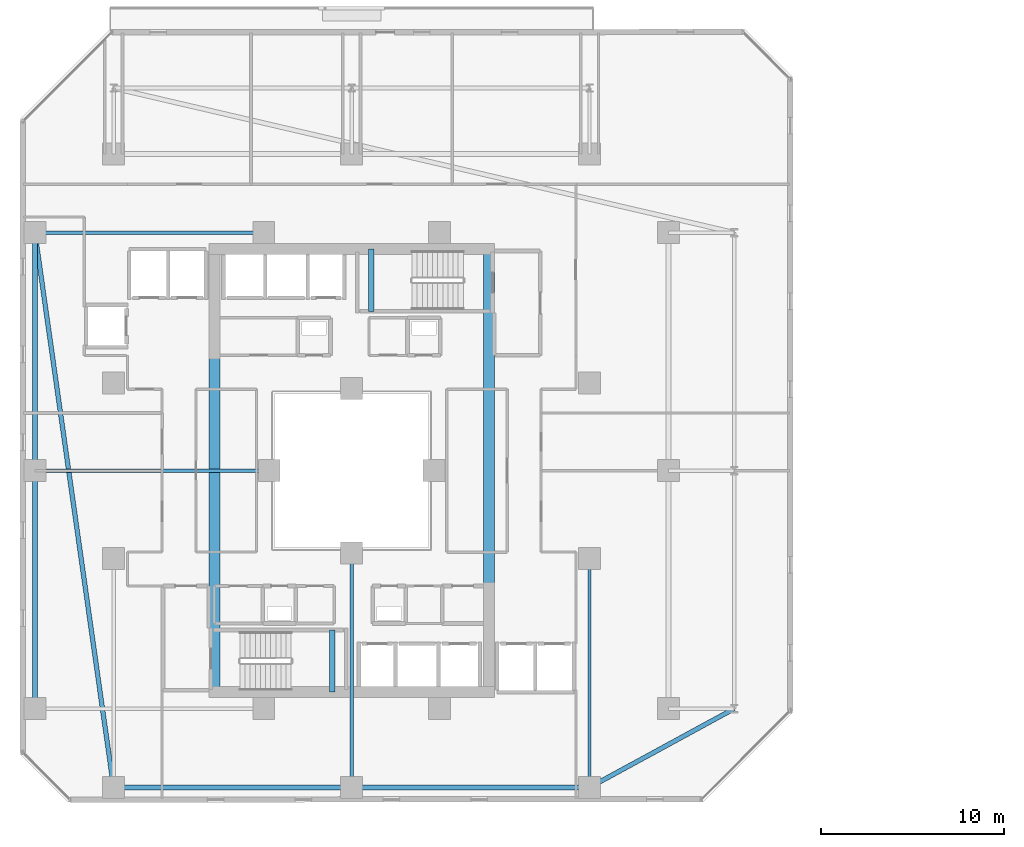
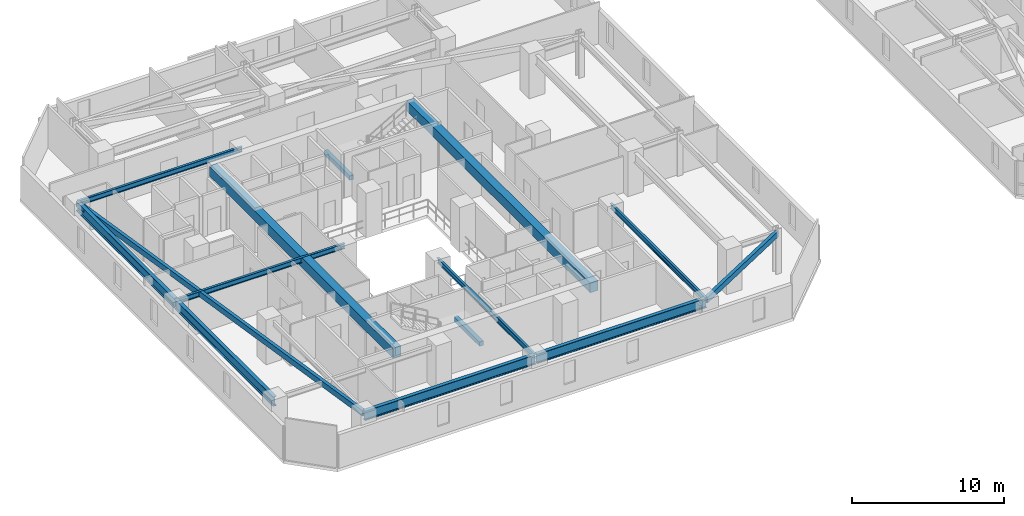
# One storey, part 4 of 31: 14 beams.
"""IFC4 building model written with IfcOpenShell, lengths in metres."""

from ifc_helpers import new_model, si_unit, direction, frame, origin, origin_2d, place, context, subcontext, project, spatial, rectangle, hollow_rectangle, i_section, extrude, material, material_profile, profile_set, type_object, element, save


model = new_model("IFC4")

# Units and contexts
model_context = context("Model", 3, precision=1e-05, world=origin(), true_north=direction((0.0, 1.0)))
body_context = subcontext(model_context, "Body", "Model", "MODEL_VIEW")
ifc_project = project(units=[si_unit("LENGTHUNIT", "METRE"), si_unit("AREAUNIT", "SQUARE_METRE"), si_unit("VOLUMEUNIT", "CUBIC_METRE"), si_unit("PLANEANGLEUNIT", "RADIAN"), si_unit("MASSUNIT", "GRAM", prefix="KILO")], contexts=[model_context])

# Site, building, storey
site_placement = place(None, origin())
site = spatial("IfcSite", under=ifc_project, at=site_placement, CompositionType="ELEMENT")
building_placement = place(site_placement, origin())
building = spatial("IfcBuilding", under=site, at=building_placement, Name="Thornwick Lancets Civic Towers", CompositionType="ELEMENT")
storey_placement = place(building_placement, frame((0.0, 0.0, 90.89990234375)))
storey = spatial("IfcBuildingStorey", under=building, at=storey_placement, Name="L23", CompositionType="ELEMENT", Elevation=90.89990234375)

# Beams
ifc_material_1 = material(Name="Concrete C60/75", Category="concrete")
ifc_material_profile_1 = material_profile(ifc_material_1, rectangle(XDim=0.60009765625, YDim=0.800048828125, at=origin_2d()), Name="RC 600x800")
ifc_profile_set_1 = profile_set([ifc_material_profile_1], Name="Concrete C60/75")
beam_type_1 = type_object("IfcBeamType", Name="BM_COUP_RC800", PredefinedType="BEAM", material=ifc_profile_set_1)
for number, where, z_axis, x_axis, name in (
    (1, (33.0, 14.89990234375, 2.960205078125), (0.0, 1.0, 0.0), (-1.0, 0.0, 0.0), "CB-L23-A1"),
    (2, (18.0, 14.89990234375, 2.960205078125), (0.0, 1.0, 0.0), (-1.0, 0.0, 0.0), "CB-L23-A2"),
):
    element("IfcBeam", number, at=place(storey_placement, frame(where, z_axis=z_axis, x_axis=x_axis)), inside=storey, type_object=beam_type_1, Name=name, PredefinedType="BEAM", context=body_context, shape_type="SweptSolid", body=[
        extrude(rectangle(XDim=0.60009765625, YDim=0.800048828125, at=origin_2d()), origin(), (0.0, 0.0, 1.0), 24.2001953125),
    ])
ifc_material_2 = material(Name="Steel S355JR", Category="steel")
ifc_material_profile_2 = material_profile(ifc_material_2, i_section(OverallWidth=0.26806640625, OverallDepth=0.769775390625, WebThickness=0.015625, FlangeThickness=0.025390625, FilletRadius=0.0166015625, at=origin_2d()), Name="UKB 762x267x197")
ifc_profile_set_2 = profile_set([ifc_material_profile_2], Name="Steel S355JR")
beam_type_2 = type_object("IfcBeamType", Name="BM_GIRD_762_197", PredefinedType="BEAM", material=ifc_profile_set_2)
beam_1_placement = place(storey_placement, frame((12.5, 9.699951171875, 2.97509765625), z_axis=(1.0, 0.0, 0.0), x_axis=(0.0, 1.0, 0.0)))
element("IfcBeam", 3, at=beam_1_placement, inside=storey, type_object=beam_type_2, Name="BM-SPINE-L23-A-0-1", PredefinedType="BEAM", context=body_context, shape_type="SweptSolid", body=[
    extrude(i_section(OverallWidth=0.26806640625, OverallDepth=0.769775390625, WebThickness=0.015625, FlangeThickness=0.025390625, FilletRadius=0.0166015625, at=origin_2d()), origin(), (0.0, 0.0, 1.0), 13.0),
])
beam_2_placement = place(storey_placement, frame((25.580078125, 9.699951171875, 2.97509765625), z_axis=(1.0, 0.0, 0.0), x_axis=(0.0, 1.0, 0.0)))
element("IfcBeam", 4, at=beam_2_placement, inside=storey, type_object=beam_type_2, Name="BM-SPINE-L23-A-1-2", PredefinedType="BEAM", context=body_context, shape_type="SweptSolid", body=[
    extrude(i_section(OverallWidth=0.26806640625, OverallDepth=0.769775390625, WebThickness=0.015625, FlangeThickness=0.025390625, FilletRadius=0.0166015625, at=origin_2d()), origin(), (0.0, 0.0, 1.0), 12.919921875),
])
beam_3_placement = place(storey_placement, frame((8.199951171875, 14.0, 2.97509765625), z_axis=(0.0, 1.0, 0.0), x_axis=(-1.0, 0.0, 0.0)))
element("IfcBeam", 5, at=beam_3_placement, inside=storey, type_object=beam_type_2, Name="BM-SPINE-L23-A-9-10", PredefinedType="BEAM", context=body_context, shape_type="SweptSolid", body=[
    extrude(i_section(OverallWidth=0.26806640625, OverallDepth=0.769775390625, WebThickness=0.015625, FlangeThickness=0.025390625, FilletRadius=0.0166015625, at=origin_2d()), origin(), (0.0, 0.0, 1.0), 13.0),
])
beam_4_placement = place(storey_placement, frame((8.199951171875, 27.080078125, 2.97509765625), z_axis=(0.0, 1.0, 0.0), x_axis=(-1.0, 0.0, 0.0)))
element("IfcBeam", 6, at=beam_4_placement, inside=storey, type_object=beam_type_2, Name="BM-SPINE-L23-A-10-11", PredefinedType="BEAM", context=body_context, shape_type="SweptSolid", body=[
    extrude(i_section(OverallWidth=0.26806640625, OverallDepth=0.769775390625, WebThickness=0.015625, FlangeThickness=0.025390625, FilletRadius=0.0166015625, at=origin_2d()), origin(), (0.0, 0.0, 1.0), 12.919921875),
])
ifc_material_profile_3 = material_profile(ifc_material_2, i_section(OverallWidth=0.179443359375, OverallDepth=0.412841796875, WebThickness=0.009521484375, FlangeThickness=0.01611328125, FilletRadius=0.01025390625, at=origin_2d()), Name="UKB 406x178x74")
ifc_profile_set_3 = profile_set([ifc_material_profile_3], Name="Steel S355JR")
beam_type_3 = type_object("IfcBeamType", Name="BM_JOIST_406_74", PredefinedType="JOIST", material=ifc_profile_set_3)
beam_5_placement = place(storey_placement, frame((25.5, 22.5, 3.15380859375), z_axis=(0.0, -1.0, 0.0), x_axis=(1.0, 0.0, 0.0)))
element("IfcBeam", 7, at=beam_5_placement, inside=storey, type_object=beam_type_3, Name="BM-RADIN-L23-A02", PredefinedType="JOIST", context=body_context, shape_type="SweptSolid", body=[
    extrude(i_section(OverallWidth=0.179443359375, OverallDepth=0.412841796875, WebThickness=0.009521484375, FlangeThickness=0.01611328125, FilletRadius=0.01025390625, at=origin_2d()), origin(), (0.0, 0.0, 1.0), 12.800048828125),
])
beam_6_placement = place(storey_placement, frame((38.5, 22.199951171875, 3.15380859375), z_axis=(0.0, -1.0, 0.0), x_axis=(1.0, 0.0, 0.0)))
element("IfcBeam", 8, at=beam_6_placement, inside=storey, type_object=beam_type_3, Name="BM-RADIN-L23-A03", PredefinedType="JOIST", context=body_context, shape_type="SweptSolid", body=[
    extrude(i_section(OverallWidth=0.179443359375, OverallDepth=0.412841796875, WebThickness=0.009521484375, FlangeThickness=0.01611328125, FilletRadius=0.01025390625, at=origin_2d()), origin(), (0.0, 0.0, 1.0), 12.5),
])
beam_7_placement = place(storey_placement, frame((21.0, 27.0, 3.15380859375), z_axis=(-1.0, 0.0, 0.0), x_axis=(0.0, -1.0, 0.0)))
element("IfcBeam", 9, at=beam_7_placement, inside=storey, type_object=beam_type_3, Name="BM-RADIN-L23-A11", PredefinedType="JOIST", context=body_context, shape_type="SweptSolid", body=[
    extrude(i_section(OverallWidth=0.179443359375, OverallDepth=0.412841796875, WebThickness=0.009521484375, FlangeThickness=0.01611328125, FilletRadius=0.01025390625, at=origin_2d()), origin(), (0.0, 0.0, 1.0), 12.800048828125),
])
beam_8_placement = place(storey_placement, frame((20.699951171875, 40.0, 3.15380859375), z_axis=(-1.0, 0.0, 0.0), x_axis=(0.0, -1.0, 0.0)))
element("IfcBeam", 10, at=beam_8_placement, inside=storey, type_object=beam_type_3, Name="BM-RADIN-L23-A12", PredefinedType="JOIST", context=body_context, shape_type="SweptSolid", body=[
    extrude(i_section(OverallWidth=0.179443359375, OverallDepth=0.412841796875, WebThickness=0.009521484375, FlangeThickness=0.01611328125, FilletRadius=0.01025390625, at=origin_2d()), origin(), (0.0, 0.0, 1.0), 12.5),
])
ifc_material_profile_4 = material_profile(ifc_material_2, hollow_rectangle(XDim=0.25, YDim=0.449951171875, WallThickness=0.01611328125, at=origin_2d()), Name="RHS 450x250x16")
ifc_profile_set_4 = profile_set([ifc_material_profile_4], Name="Steel S355JR")
beam_type_4 = type_object("IfcBeamType", Name="BM_RING_RHS450", PredefinedType="BEAM", material=ifc_profile_set_4)
beam_9_placement = place(storey_placement, frame((38.5, 9.699951171875, 3.135009765625), z_axis=(0.878315357038, 0.478081722712, 0.0), x_axis=(-0.478081722712, 0.878315357038, 0.0)))
element("IfcBeam", 11, at=beam_9_placement, inside=storey, type_object=beam_type_4, Name="BM-CHAMF-L23-A-C0", PredefinedType="BEAM", context=body_context, shape_type="SweptSolid", body=[
    extrude(hollow_rectangle(XDim=0.25, YDim=0.449951171875, WallThickness=0.01611328125, at=origin_2d()), origin(), (0.0, 0.0, 1.0), 8.994384765625),
])
beam_10_placement = place(storey_placement, frame((8.199951171875, 40.0, 3.135009765625), z_axis=(0.140507712682, -0.990079584012, 0.0), x_axis=(0.990079584012, 0.140507712682, 0.0)))
element("IfcBeam", 12, at=beam_10_placement, inside=storey, type_object=beam_type_4, Name="BM-CHAMF-L23-A-C3", PredefinedType="BEAM", context=body_context, shape_type="SweptSolid", body=[
    extrude(hollow_rectangle(XDim=0.25, YDim=0.449951171875, WallThickness=0.01611328125, at=origin_2d()), origin(), (0.0, 0.0, 1.0), 30.603759765625),
])
ifc_material_3 = material(Name="Concrete C40/50", Category="concrete")
ifc_material_profile_5 = material_profile(ifc_material_3, rectangle(XDim=0.300048828125, YDim=0.35009765625, at=origin_2d()), Name="RC 300x350")
ifc_profile_set_5 = profile_set([ifc_material_profile_5], Name="Concrete C40/50")
beam_type_5 = type_object("IfcBeamType", Name="BM_STAIR_LDG", PredefinedType="BEAM", material=ifc_profile_set_5)
for number, where, z_axis, x_axis, name in (
    (13, (24.43505859375, 14.89990234375, 1.378173828125), (0.0, 1.0, 0.0), (-1.0, 0.0, 0.0), "L23 ST-A1 Landing Support Beam 1"),
    (14, (26.56494140625, 39.10009765625, 1.378173828125), (0.0, -1.0, 0.0), (1.0, 0.0, 0.0), "L23 ST-A2 Landing Support Beam 1"),
):
    element("IfcBeam", number, at=place(storey_placement, frame(where, z_axis=z_axis, x_axis=x_axis)), inside=storey, type_object=beam_type_5, Name=name, PredefinedType="BEAM", context=body_context, shape_type="SweptSolid", body=[
        extrude(rectangle(XDim=0.300048828125, YDim=0.35009765625, at=origin_2d()), origin(), (0.0, 0.0, 1.0), 3.400146484375),
    ])

save(model, "model.ifc")
